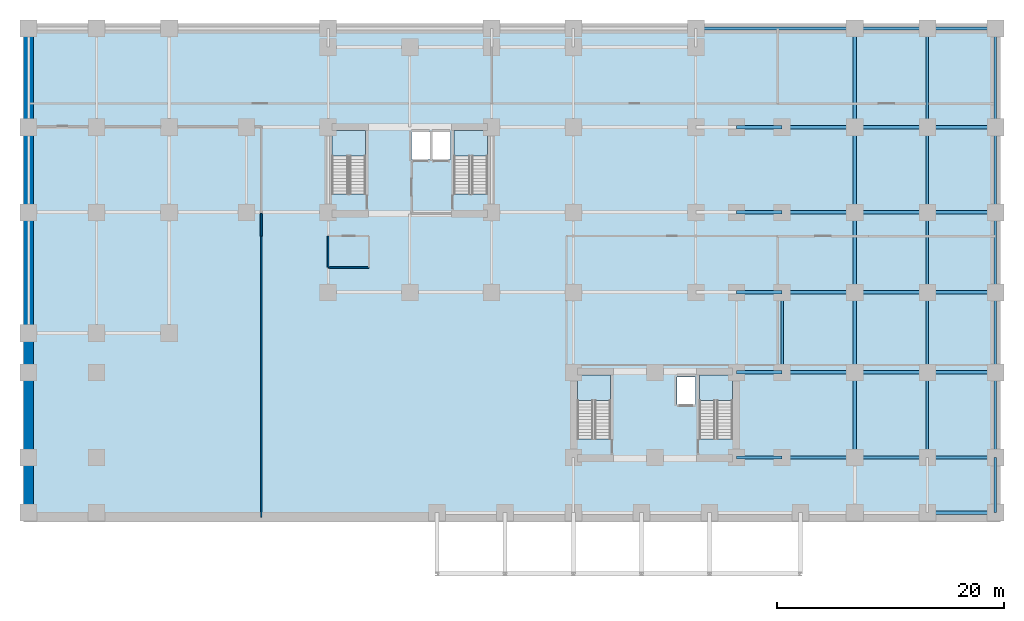
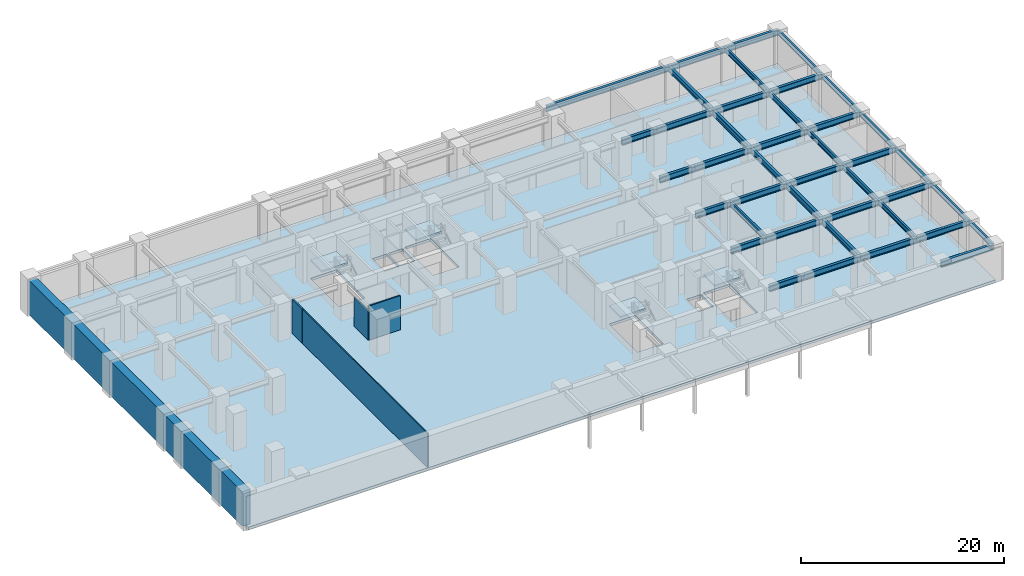
# One storey, part 6 of 11: 41 beams, 5 slabs, 5 walls, 4 elements without a shape of their own.
"""IFC4 building model written with IfcOpenShell, lengths in metres."""

from ifc_helpers import new_model, si_unit, direction, frame, frame_2d, origin, origin_2d, place, context, subcontext, project, spatial, polyline, rectangle, i_section, outline, extrude, source, transform, mapped, material, layer, layer_set, material_profile, profile_set, type_object, element, aggregate, save


model = new_model("IFC4")

# Units and contexts
model_context = context("Model", 3, precision=1e-05, world=origin(), true_north=direction((0.0, 1.0)))
body_context = subcontext(model_context, "Body", "Model", "MODEL_VIEW")
ifc_project = project(units=[si_unit("LENGTHUNIT", "METRE"), si_unit("AREAUNIT", "SQUARE_METRE"), si_unit("VOLUMEUNIT", "CUBIC_METRE"), si_unit("PLANEANGLEUNIT", "RADIAN"), si_unit("MASSUNIT", "GRAM", prefix="KILO")], contexts=[model_context])

# Site, building, storey
site_placement = place(None, origin())
site = spatial("IfcSite", under=ifc_project, at=site_placement, CompositionType="ELEMENT")
building_placement = place(site_placement, origin())
building = spatial("IfcBuilding", under=site, at=building_placement, Name="Kaliganga Portal Commons", CompositionType="ELEMENT")
storey_placement = place(building_placement, frame((0.0, 0.0, -4.5)))
storey = spatial("IfcBuildingStorey", under=building, at=storey_placement, Name="B1", CompositionType="ELEMENT", Elevation=-4.5)

# Beams
ifc_material_1 = material(Name="Structural steel S355J2", Category="steel")
ifc_material_profile_1 = material_profile(ifc_material_1, i_section(OverallWidth=0.219970703125, OverallDepth=0.60009765625, WebThickness=0.011962890625, FlangeThickness=0.01904296875, FilletRadius=0.02392578125, at=origin_2d()), Name="IPE 600")
ifc_profile_set_1 = profile_set([ifc_material_profile_1], Name="Structural steel S355J2 wide-flange")
beam_type_1 = type_object("IfcBeamType", Name="BM-FLR-600", PredefinedType="BEAM", material=ifc_profile_set_1)
shared_shape_1 = source(origin(), body_context, "Body", "SweptSolid", [
    extrude(i_section(OverallWidth=0.219970703125, OverallDepth=0.60009765625, WebThickness=0.011962890625, FlangeThickness=0.01904296875, FilletRadius=0.02392578125, at=origin_2d()), origin(), (0.0, 0.0, 1.0), 7.5),
])
for number, where, z_axis, x_axis, name in (
    (1, (67.199951171875, 7.050048828125, 3.85009765625), (0.0, 1.0, 0.0), (-1.0, 0.0, 0.0), "BM PODE B1 X67 2"),
    (2, (67.199951171875, 28.64990234375, 3.85009765625), (0.0, 1.0, 0.0), (-1.0, 0.0, 0.0), "BM PODE B1 X67 5"),
    (3, (73.199951171875, 7.050048828125, 3.85009765625), (0.0, 1.0, 0.0), (-1.0, 0.0, 0.0), "BM PODE B1 X73 2"),
    (4, (73.199951171875, 28.64990234375, 3.85009765625), (0.0, 1.0, 0.0), (-1.0, 0.0, 0.0), "BM PODE B1 X73 5"),
):
    element("IfcBeam", number, at=place(storey_placement, frame(where, z_axis=z_axis, x_axis=x_axis)), inside=storey, type_object=beam_type_1, Name=name, PredefinedType="BEAM", context=body_context, shape_type="MappedRepresentation", body=[
        mapped(shared_shape_1, transform((0.0, 0.0, 0.0), x_axis=(1.0, 0.0, 0.0), y_axis=(0.0, 1.0, 0.0), z_axis=(0.0, 0.0, 1.0), scale=1.0)),
    ])
shared_shape_2 = source(origin(), body_context, "Body", "SweptSolid", [
    extrude(i_section(OverallWidth=0.219970703125, OverallDepth=0.60009765625, WebThickness=0.011962890625, FlangeThickness=0.01904296875, FilletRadius=0.02392578125, at=origin_2d()), origin(), (0.0, 0.0, 1.0), 7.050048828125),
])
for number, where, z_axis, x_axis, name in (
    (5, (54.39990234375, 14.550048828125, 3.85009765625), (0.0, 1.0, 0.0), (-1.0, 0.0, 0.0), "BM G B1 BNK544"),
    (6, (67.199951171875, 14.550048828125, 3.85009765625), (0.0, 1.0, 0.0), (-1.0, 0.0, 0.0), "BM PODE B1 X67 3"),
    (7, (73.199951171875, 14.550048828125, 3.85009765625), (0.0, 1.0, 0.0), (-1.0, 0.0, 0.0), "BM PODE B1 X73 3"),
):
    element("IfcBeam", number, at=place(storey_placement, frame(where, z_axis=z_axis, x_axis=x_axis)), inside=storey, type_object=beam_type_1, Name=name, PredefinedType="BEAM", context=body_context, shape_type="MappedRepresentation", body=[
        mapped(shared_shape_2, transform((0.0, 0.0, 0.0), x_axis=(1.0, 0.0, 0.0), y_axis=(0.0, 1.0, 0.0), z_axis=(0.0, 0.0, 1.0), scale=1.0)),
    ])
shared_shape_3 = source(origin(), body_context, "Body", "SweptSolid", [
    extrude(i_section(OverallWidth=0.219970703125, OverallDepth=0.60009765625, WebThickness=0.011962890625, FlangeThickness=0.01904296875, FilletRadius=0.02392578125, at=origin_2d()), origin(), (0.0, 0.0, 1.0), 7.0498046875),
])
for number, where, z_axis, x_axis, name in (
    (8, (67.199951171875, 21.60009765625, 3.85009765625), (0.0, 1.0, 0.0), (-1.0, 0.0, 0.0), "BM PODE B1 X67 4"),
    (9, (73.199951171875, 21.60009765625, 3.85009765625), (0.0, 1.0, 0.0), (-1.0, 0.0, 0.0), "BM PODE B1 X73 4"),
):
    element("IfcBeam", number, at=place(storey_placement, frame(where, z_axis=z_axis, x_axis=x_axis)), inside=storey, type_object=beam_type_1, Name=name, PredefinedType="BEAM", context=body_context, shape_type="MappedRepresentation", body=[
        mapped(shared_shape_3, transform((0.0, 0.0, 0.0), x_axis=(1.0, 0.0, 0.0), y_axis=(0.0, 1.0, 0.0), z_axis=(0.0, 0.0, 1.0), scale=1.0)),
    ])
ifc_material_profile_2 = material_profile(ifc_material_1, i_section(OverallWidth=0.300048828125, OverallDepth=0.699951171875, WebThickness=0.01708984375, FlangeThickness=0.031982421875, FilletRadius=0.027099609375, at=origin_2d()), Name="HE 700 B")
ifc_profile_set_2 = profile_set([ifc_material_profile_2], Name="Structural steel S355J2 wide-flange")
beam_type_2 = type_object("IfcBeamType", Name="BM-GIRD-700", PredefinedType="USERDEFINED", material=ifc_profile_set_2)
shared_shape_4 = source(origin(), body_context, "Body", "SweptSolid", [
    extrude(i_section(OverallWidth=0.300048828125, OverallDepth=0.699951171875, WebThickness=0.01708984375, FlangeThickness=0.031982421875, FilletRadius=0.027099609375, at=origin_2d()), origin(), (0.0, 0.0, 1.0), 4.0),
])
for number, where, z_axis, x_axis, name in (
    (10, (50.39990234375, 7.050048828125, 3.800048828125), (1.0, 0.0, 0.0), (0.0, 1.0, 0.0), "BM G B1 BKE70 1"),
    (11, (50.39990234375, 14.550048828125, 3.800048828125), (1.0, 0.0, 0.0), (0.0, 1.0, 0.0), "BM G B1 BKE146 1"),
    (12, (50.39990234375, 21.60009765625, 3.800048828125), (1.0, 0.0, 0.0), (0.0, 1.0, 0.0), "BM G B1 BKE216 2"),
    (13, (50.39990234375, 28.64990234375, 3.800048828125), (1.0, 0.0, 0.0), (0.0, 1.0, 0.0), "BM G B1 BKE286 2"),
    (14, (50.39990234375, 36.14990234375, 3.800048828125), (1.0, 0.0, 0.0), (0.0, 1.0, 0.0), "BM G B1 BKE362 2"),
):
    element("IfcBeam", number, at=place(storey_placement, frame(where, z_axis=z_axis, x_axis=x_axis)), inside=storey, type_object=beam_type_2, Name=name, ObjectType="GIRDER", PredefinedType="USERDEFINED", context=body_context, shape_type="MappedRepresentation", body=[
        mapped(shared_shape_4, transform((0.0, 0.0, 0.0), x_axis=(1.0, 0.0, 0.0), y_axis=(0.0, 1.0, 0.0), z_axis=(0.0, 0.0, 1.0), scale=1.0)),
    ])
shared_shape_5 = source(origin(), body_context, "Body", "SweptSolid", [
    extrude(i_section(OverallWidth=0.300048828125, OverallDepth=0.699951171875, WebThickness=0.01708984375, FlangeThickness=0.031982421875, FilletRadius=0.027099609375, at=origin_2d()), origin(), (0.0, 0.0, 1.0), 6.400146484375),
])
for number, where, z_axis, x_axis, name in (
    (15, (54.39990234375, 7.050048828125, 3.800048828125), (1.0, 0.0, 0.0), (0.0, 1.0, 0.0), "BM G B1 BKE70 2"),
    (16, (54.39990234375, 14.550048828125, 3.800048828125), (1.0, 0.0, 0.0), (0.0, 1.0, 0.0), "BM G B1 BKE146 2"),
    (17, (54.39990234375, 21.60009765625, 3.800048828125), (1.0, 0.0, 0.0), (0.0, 1.0, 0.0), "BM G B1 BKE216 3"),
    (18, (54.39990234375, 28.64990234375, 3.800048828125), (1.0, 0.0, 0.0), (0.0, 1.0, 0.0), "BM G B1 BKE286 3"),
    (19, (54.39990234375, 36.14990234375, 3.800048828125), (1.0, 0.0, 0.0), (0.0, 1.0, 0.0), "BM G B1 BKE362 3"),
):
    element("IfcBeam", number, at=place(storey_placement, frame(where, z_axis=z_axis, x_axis=x_axis)), inside=storey, type_object=beam_type_2, Name=name, ObjectType="GIRDER", PredefinedType="USERDEFINED", context=body_context, shape_type="MappedRepresentation", body=[
        mapped(shared_shape_5, transform((0.0, 0.0, 0.0), x_axis=(1.0, 0.0, 0.0), y_axis=(0.0, 1.0, 0.0), z_axis=(0.0, 0.0, 1.0), scale=1.0)),
    ])
shared_shape_6 = source(origin(), body_context, "Body", "SweptSolid", [
    extrude(i_section(OverallWidth=0.300048828125, OverallDepth=0.699951171875, WebThickness=0.01708984375, FlangeThickness=0.031982421875, FilletRadius=0.027099609375, at=origin_2d()), origin(), (0.0, 0.0, 1.0), 7.5),
])
for number, where, z_axis, x_axis, name in (
    (20, (60.800048828125, 7.050048828125, 3.800048828125), (0.0, 1.0, 0.0), (-1.0, 0.0, 0.0), "BM PODP B1 E60 2"),
    (21, (60.800048828125, 28.64990234375, 3.800048828125), (0.0, 1.0, 0.0), (-1.0, 0.0, 0.0), "BM PODP B1 E60 5"),
):
    element("IfcBeam", number, at=place(storey_placement, frame(where, z_axis=z_axis, x_axis=x_axis)), inside=storey, type_object=beam_type_2, Name=name, ObjectType="GIRDER", PredefinedType="USERDEFINED", context=body_context, shape_type="MappedRepresentation", body=[
        mapped(shared_shape_6, transform((0.0, 0.0, 0.0), x_axis=(1.0, 0.0, 0.0), y_axis=(0.0, 1.0, 0.0), z_axis=(0.0, 0.0, 1.0), scale=1.0)),
    ])
shared_shape_7 = source(origin(), body_context, "Body", "SweptSolid", [
    extrude(i_section(OverallWidth=0.300048828125, OverallDepth=0.699951171875, WebThickness=0.01708984375, FlangeThickness=0.031982421875, FilletRadius=0.027099609375, at=origin_2d()), origin(), (0.0, 0.0, 1.0), 8.7001953125),
])
beam_1_placement = place(storey_placement, frame((60.800048828125, 36.14990234375, 3.800048828125), z_axis=(0.0, 1.0, 0.0), x_axis=(-1.0, 0.0, 0.0)))
element("IfcBeam", 22, at=beam_1_placement, inside=storey, type_object=beam_type_2, Name="BM PODP B1 E60 6", ObjectType="GIRDER", PredefinedType="USERDEFINED", context=body_context, shape_type="MappedRepresentation", body=[
    mapped(shared_shape_7, transform((0.0, 0.0, 0.0), x_axis=(1.0, 0.0, 0.0), y_axis=(0.0, 1.0, 0.0), z_axis=(0.0, 0.0, 1.0), scale=1.0)),
])
shared_shape_8 = source(origin(), body_context, "Body", "SweptSolid", [
    extrude(i_section(OverallWidth=0.300048828125, OverallDepth=0.699951171875, WebThickness=0.01708984375, FlangeThickness=0.031982421875, FilletRadius=0.027099609375, at=origin_2d()), origin(), (0.0, 0.0, 1.0), 14.0),
])
beam_2_placement = place(storey_placement, frame((46.800048828125, 44.85009765625, 3.800048828125), z_axis=(1.0, 0.0, 0.0), x_axis=(0.0, 1.0, 0.0)))
element("IfcBeam", 23, at=beam_2_placement, inside=storey, type_object=beam_type_2, Name="BM PODP B1 N44 5", ObjectType="GIRDER", PredefinedType="USERDEFINED", context=body_context, shape_type="MappedRepresentation", body=[
    mapped(shared_shape_8, transform((0.0, 0.0, 0.0), x_axis=(1.0, 0.0, 0.0), y_axis=(0.0, 1.0, 0.0), z_axis=(0.0, 0.0, 1.0), scale=1.0)),
])
shared_shape_9 = source(origin(), body_context, "Body", "SweptSolid", [
    extrude(i_section(OverallWidth=0.300048828125, OverallDepth=0.699951171875, WebThickness=0.01708984375, FlangeThickness=0.031982421875, FilletRadius=0.027099609375, at=origin_2d()), origin(), (0.0, 0.0, 1.0), 7.050048828125),
])
beam_3_placement = place(storey_placement, frame((60.800048828125, 14.550048828125, 3.800048828125), z_axis=(0.0, 1.0, 0.0), x_axis=(-1.0, 0.0, 0.0)))
element("IfcBeam", 24, at=beam_3_placement, inside=storey, type_object=beam_type_2, Name="BM PODP B1 E60 3", ObjectType="GIRDER", PredefinedType="USERDEFINED", context=body_context, shape_type="MappedRepresentation", body=[
    mapped(shared_shape_9, transform((0.0, 0.0, 0.0), x_axis=(1.0, 0.0, 0.0), y_axis=(0.0, 1.0, 0.0), z_axis=(0.0, 0.0, 1.0), scale=1.0)),
])
shared_shape_10 = source(origin(), body_context, "Body", "SweptSolid", [
    extrude(i_section(OverallWidth=0.300048828125, OverallDepth=0.699951171875, WebThickness=0.01708984375, FlangeThickness=0.031982421875, FilletRadius=0.027099609375, at=origin_2d()), origin(), (0.0, 0.0, 1.0), 7.0498046875),
])
beam_4_placement = place(storey_placement, frame((60.800048828125, 21.60009765625, 3.800048828125), z_axis=(0.0, 1.0, 0.0), x_axis=(-1.0, 0.0, 0.0)))
element("IfcBeam", 25, at=beam_4_placement, inside=storey, type_object=beam_type_2, Name="BM PODP B1 E60 4", ObjectType="GIRDER", PredefinedType="USERDEFINED", context=body_context, shape_type="MappedRepresentation", body=[
    mapped(shared_shape_10, transform((0.0, 0.0, 0.0), x_axis=(1.0, 0.0, 0.0), y_axis=(0.0, 1.0, 0.0), z_axis=(0.0, 0.0, 1.0), scale=1.0)),
])
shared_shape_11 = source(origin(), body_context, "Body", "SweptSolid", [
    extrude(i_section(OverallWidth=0.300048828125, OverallDepth=0.699951171875, WebThickness=0.01708984375, FlangeThickness=0.031982421875, FilletRadius=0.027099609375, at=origin_2d()), origin(), (0.0, 0.0, 1.0), 6.0),
])
for number, where, z_axis, x_axis, name in (
    (26, (67.199951171875, 2.199951171875, 3.800048828125), (1.0, 0.0, 0.0), (0.0, 1.0, 0.0), "BM PODE B1 Y2 2"),
    (27, (67.199951171875, 7.050048828125, 3.800048828125), (1.0, 0.0, 0.0), (0.0, 1.0, 0.0), "BM PODE B1 Y7 2"),
    (28, (67.199951171875, 14.550048828125, 3.800048828125), (1.0, 0.0, 0.0), (0.0, 1.0, 0.0), "BM PODE B1 Y14 2"),
    (29, (67.199951171875, 21.60009765625, 3.800048828125), (1.0, 0.0, 0.0), (0.0, 1.0, 0.0), "BM PODE B1 Y21 2"),
    (30, (67.199951171875, 28.64990234375, 3.800048828125), (1.0, 0.0, 0.0), (0.0, 1.0, 0.0), "BM PODE B1 Y28 2"),
    (31, (67.199951171875, 36.14990234375, 3.800048828125), (1.0, 0.0, 0.0), (0.0, 1.0, 0.0), "BM PODE B1 Y36 2"),
    (32, (67.199951171875, 44.85009765625, 3.800048828125), (1.0, 0.0, 0.0), (0.0, 1.0, 0.0), "BM PODE B1 Y44 2"),
):
    element("IfcBeam", number, at=place(storey_placement, frame(where, z_axis=z_axis, x_axis=x_axis)), inside=storey, type_object=beam_type_2, Name=name, ObjectType="GIRDER", PredefinedType="USERDEFINED", context=body_context, shape_type="MappedRepresentation", body=[
        mapped(shared_shape_11, transform((0.0, 0.0, 0.0), x_axis=(1.0, 0.0, 0.0), y_axis=(0.0, 1.0, 0.0), z_axis=(0.0, 0.0, 1.0), scale=1.0)),
    ])
shared_shape_12 = source(origin(), body_context, "Body", "SweptSolid", [
    extrude(i_section(OverallWidth=0.219970703125, OverallDepth=0.60009765625, WebThickness=0.011962890625, FlangeThickness=0.01904296875, FilletRadius=0.02392578125, at=origin_2d()), origin(), (0.0, 0.0, 1.0), 4.85009765625),
])
beam_5_placement = place(storey_placement, frame((73.199951171875, 2.199951171875, 3.85009765625), z_axis=(0.0, 1.0, 0.0), x_axis=(-1.0, 0.0, 0.0)))
element("IfcBeam", 33, at=beam_5_placement, inside=storey, type_object=beam_type_1, Name="BM PODE B1 X73 1", PredefinedType="BEAM", context=body_context, shape_type="MappedRepresentation", body=[
    mapped(shared_shape_12, transform((0.0, 0.0, 0.0), x_axis=(1.0, 0.0, 0.0), y_axis=(0.0, 1.0, 0.0), z_axis=(0.0, 0.0, 1.0), scale=1.0)),
])
shared_shape_13 = source(origin(), body_context, "Body", "SweptSolid", [
    extrude(i_section(OverallWidth=0.300048828125, OverallDepth=0.699951171875, WebThickness=0.01708984375, FlangeThickness=0.031982421875, FilletRadius=0.027099609375, at=origin_2d()), origin(), (0.0, 0.0, 1.0), 6.39990234375),
])
for number, where, z_axis, x_axis, name in (
    (34, (60.800048828125, 7.050048828125, 3.800048828125), (1.0, 0.0, 0.0), (0.0, 1.0, 0.0), "BM PODE B1 Y7 1"),
    (35, (60.800048828125, 14.550048828125, 3.800048828125), (1.0, 0.0, 0.0), (0.0, 1.0, 0.0), "BM PODE B1 Y14 1"),
    (36, (60.800048828125, 21.60009765625, 3.800048828125), (1.0, 0.0, 0.0), (0.0, 1.0, 0.0), "BM PODE B1 Y21 1"),
    (37, (60.800048828125, 28.64990234375, 3.800048828125), (1.0, 0.0, 0.0), (0.0, 1.0, 0.0), "BM PODE B1 Y28 1"),
    (38, (60.800048828125, 36.14990234375, 3.800048828125), (1.0, 0.0, 0.0), (0.0, 1.0, 0.0), "BM PODE B1 Y36 1"),
    (39, (60.800048828125, 44.85009765625, 3.800048828125), (1.0, 0.0, 0.0), (0.0, 1.0, 0.0), "BM PODE B1 Y44 1"),
):
    element("IfcBeam", number, at=place(storey_placement, frame(where, z_axis=z_axis, x_axis=x_axis)), inside=storey, type_object=beam_type_2, Name=name, ObjectType="GIRDER", PredefinedType="USERDEFINED", context=body_context, shape_type="MappedRepresentation", body=[
        mapped(shared_shape_13, transform((0.0, 0.0, 0.0), x_axis=(1.0, 0.0, 0.0), y_axis=(0.0, 1.0, 0.0), z_axis=(0.0, 0.0, 1.0), scale=1.0)),
    ])
shared_shape_14 = source(origin(), body_context, "Body", "SweptSolid", [
    extrude(i_section(OverallWidth=0.219970703125, OverallDepth=0.60009765625, WebThickness=0.011962890625, FlangeThickness=0.01904296875, FilletRadius=0.02392578125, at=origin_2d()), origin(), (0.0, 0.0, 1.0), 8.7001953125),
])
for number, where, z_axis, x_axis, name in (
    (40, (67.199951171875, 36.14990234375, 3.85009765625), (0.0, 1.0, 0.0), (-1.0, 0.0, 0.0), "BM PODE B1 X67 6"),
    (41, (73.199951171875, 36.14990234375, 3.85009765625), (0.0, 1.0, 0.0), (-1.0, 0.0, 0.0), "BM PODE B1 X73 6"),
):
    element("IfcBeam", number, at=place(storey_placement, frame(where, z_axis=z_axis, x_axis=x_axis)), inside=storey, type_object=beam_type_1, Name=name, PredefinedType="BEAM", context=body_context, shape_type="MappedRepresentation", body=[
        mapped(shared_shape_14, transform((0.0, 0.0, 0.0), x_axis=(1.0, 0.0, 0.0), y_axis=(0.0, 1.0, 0.0), z_axis=(0.0, 0.0, 1.0), scale=1.0)),
    ])

# Slab
ifc_material_2 = material(Name="Concrete C50/60", Category="concrete")
ifc_layer_1 = layer(ifc_material_2, 0.320068359375)
ifc_layer_set_1 = layer_set([ifc_layer_1], Name="Concrete C50/60")
slab_type_1 = type_object("IfcSlabType", Name="SLB-B1-320", PredefinedType="FLOOR", material=ifc_layer_set_1)
slab_1_placement = place(storey_placement, frame((0.0, 0.0, -0.320068359375)))
element("IfcSlab", 42, at=slab_1_placement, inside=storey, type_object=slab_type_1, Name="Structural Floor Slab B1", PredefinedType="FLOOR", context=body_context, shape_type="SweptSolid", body=[
    extrude(outline(polyline([(-12.0, 1.800048828125), (73.199951171875, 1.800048828125), (73.199951171875, 44.85009765625), (-12.0, 44.85009765625), (-12.0, 1.800048828125)]), holes=[polyline([(14.75, 30.25390625), (14.75, 35.85009765625), (17.699951171875, 35.85009765625), (17.699951171875, 30.25390625), (14.75, 30.25390625)]), polyline([(25.5, 30.25390625), (25.5, 35.85009765625), (28.449951171875, 35.85009765625), (28.449951171875, 30.25390625), (25.5, 30.25390625)]), polyline([(36.35009765625, 8.7041015625), (36.35009765625, 14.300048828125), (39.300048828125, 14.300048828125), (39.300048828125, 8.7041015625), (36.35009765625, 8.7041015625)]), polyline([(47.10009765625, 8.7041015625), (47.10009765625, 14.300048828125), (50.050048828125, 14.300048828125), (50.050048828125, 8.7041015625), (47.10009765625, 8.7041015625)]), polyline([(21.739990234375, 33.2900390625), (21.739990234375, 35.7099609375), (23.360107421875, 35.7099609375), (23.360107421875, 33.2900390625), (21.739990234375, 33.2900390625)]), polyline([(23.5400390625, 33.2900390625), (23.5400390625, 35.7099609375), (25.159912109375, 35.7099609375), (25.159912109375, 33.2900390625), (23.5400390625, 33.2900390625)]), polyline([(45.139892578125, 11.739990234375), (45.139892578125, 14.159912109375), (46.760009765625, 14.159912109375), (46.760009765625, 11.739990234375), (45.139892578125, 11.739990234375)])]), origin(), (0.0, 0.0, 1.0), 0.320068359375),
])

# Stair, slab
ifc_material_3 = material(Name="Concrete C40/50", Category="concrete")
stair_type = type_object("IfcStairType", Name="ST-CORE-DOGLEG", PredefinedType="HALF_TURN_STAIR", material=ifc_material_3)
stair_1_placement = place(storey_placement, origin())
stair_1 = element("IfcStair", 43, at=stair_1_placement, inside=storey, type_object=stair_type, Name="B1 Protected Exit Stair ST-A1", PredefinedType="HALF_TURN_STAIR")
ifc_layer_2 = layer(ifc_material_3, 0.199951171875)
ifc_layer_set_2 = layer_set([ifc_layer_2], Name="Concrete C40/50")
slab_type_2 = type_object("IfcSlabType", Name="SLB-STAIR-LND", PredefinedType="LANDING", material=ifc_layer_set_2)
slab_2_placement = place(storey_placement, frame((0.0, 0.0, 2.050048828125)))
slab_2 = element("IfcSlab", 44, at=slab_2_placement, type_object=slab_type_2, Name="ST-A1 landing 1", PredefinedType="LANDING", context=body_context, shape_type="SweptSolid", body=[
    extrude(outline(polyline([(17.699951171875, 33.610107421875), (17.699951171875, 35.85009765625), (14.75, 35.85009765625), (14.75, 33.610107421875), (17.699951171875, 33.610107421875)])), origin(), (0.0, 0.0, 1.0), 0.199951171875),
])
aggregate(stair_1, [slab_2])

stair_2_placement = place(storey_placement, origin())
stair_2 = element("IfcStair", 45, at=stair_2_placement, inside=storey, type_object=stair_type, Name="B1 Protected Exit Stair ST-A2", PredefinedType="HALF_TURN_STAIR")
slab_3_placement = place(storey_placement, frame((0.0, 0.0, 2.050048828125)))
slab_3 = element("IfcSlab", 46, at=slab_3_placement, type_object=slab_type_2, Name="ST-A2 landing 1", PredefinedType="LANDING", context=body_context, shape_type="SweptSolid", body=[
    extrude(outline(polyline([(28.449951171875, 33.610107421875), (28.449951171875, 35.85009765625), (25.5, 35.85009765625), (25.5, 33.610107421875), (28.449951171875, 33.610107421875)])), origin(), (0.0, 0.0, 1.0), 0.199951171875),
])
aggregate(stair_2, [slab_3])

stair_3_placement = place(storey_placement, origin())
stair_3 = element("IfcStair", 47, at=stair_3_placement, inside=storey, type_object=stair_type, Name="B1 Protected Exit Stair ST-B1", PredefinedType="HALF_TURN_STAIR")
slab_4_placement = place(storey_placement, frame((0.0, 0.0, 2.050048828125)))
slab_4 = element("IfcSlab", 48, at=slab_4_placement, type_object=slab_type_2, Name="ST-B1 landing 1", PredefinedType="LANDING", context=body_context, shape_type="SweptSolid", body=[
    extrude(outline(polyline([(39.300048828125, 12.06005859375), (39.300048828125, 14.300048828125), (36.35009765625, 14.300048828125), (36.35009765625, 12.06005859375), (39.300048828125, 12.06005859375)])), origin(), (0.0, 0.0, 1.0), 0.199951171875),
])
aggregate(stair_3, [slab_4])

stair_4_placement = place(storey_placement, origin())
stair_4 = element("IfcStair", 49, at=stair_4_placement, inside=storey, type_object=stair_type, Name="B1 Protected Exit Stair ST-B2", PredefinedType="HALF_TURN_STAIR")
slab_5_placement = place(storey_placement, frame((0.0, 0.0, 2.050048828125)))
slab_5 = element("IfcSlab", 50, at=slab_5_placement, type_object=slab_type_2, Name="ST-B2 landing 1", PredefinedType="LANDING", context=body_context, shape_type="SweptSolid", body=[
    extrude(outline(polyline([(50.050048828125, 12.06005859375), (50.050048828125, 14.300048828125), (47.10009765625, 14.300048828125), (47.10009765625, 12.06005859375), (50.050048828125, 12.06005859375)])), origin(), (0.0, 0.0, 1.0), 0.199951171875),
])
aggregate(stair_4, [slab_5])

# Walls
ifc_material_4 = material(Name="Fire-Rated Gypsum Board on Steel Stud", Category="steel")
ifc_layer_3 = layer(ifc_material_4, 0.14990234375)
ifc_layer_set_3 = layer_set([ifc_layer_3], Name="Fire-Rated Gypsum Board on Steel Stud")
wall_type_1 = type_object("IfcWallType", Name="WL-PART-CORR-150", PredefinedType="PARTITIONING", material=ifc_layer_set_3)
wall_1_placement = place(storey_placement, frame((8.5, 26.56005859375, 0.0), z_axis=(0.0, 0.0, 1.0), x_axis=(0.0, 1.0, 0.0)))
element("IfcWall", 51, at=wall_1_placement, inside=storey, type_object=wall_type_1, Name="Interior Partition B1-014", PredefinedType="PARTITIONING", context=body_context, shape_type="SweptSolid", body=[
    extrude(rectangle(XDim=2.0, YDim=0.14990234375, at=frame_2d((1.0, 0.0))), origin(), (0.0, 0.0, 1.0), 4.1298828125),
])
ifc_material_5 = material(Name="Moisture-Resistant Gypsum Partition", Category="gypsum")
ifc_layer_4 = layer(ifc_material_5, 0.114990234375)
ifc_layer_set_4 = layer_set([ifc_layer_4], Name="Moisture-Resistant Gypsum Partition")
wall_type_2 = type_object("IfcWallType", Name="WL-PART-ROOM-115", PredefinedType="PARTITIONING", material=ifc_layer_set_4)
wall_2_placement = place(storey_placement, frame((8.5, 1.800048828125, 0.0), z_axis=(0.0, 0.0, 1.0), x_axis=(0.0, 1.0, 0.0)))
element("IfcWall", 52, at=wall_2_placement, inside=storey, type_object=wall_type_2, Name="Interior Partition B1-015", PredefinedType="PARTITIONING", context=body_context, shape_type="SweptSolid", body=[
    extrude(rectangle(XDim=24.760009765625, YDim=0.114990234375, at=frame_2d((12.3798828125, 0.0))), origin(), (0.0, 0.0, 1.0), 4.1298828125),
])
ifc_material_6 = material(Name="Cement-Board Wet-Room Partition", Category="gypsum")
ifc_layer_5 = layer(ifc_material_6, 0.135009765625)
ifc_layer_set_5 = layer_set([ifc_layer_5], Name="Cement-Board Wet-Room Partition")
wall_type_3 = type_object("IfcWallType", Name="WL-PART-WET-135", PredefinedType="PARTITIONING", material=ifc_layer_set_5)
wall_3_placement = place(storey_placement, frame((14.39990234375, 23.800048828125, 0.0), z_axis=(0.0, 0.0, 1.0), x_axis=(1.0, 0.0, 0.0)))
element("IfcWall", 53, at=wall_3_placement, inside=storey, type_object=wall_type_3, Name="Interior Partition B1-027", PredefinedType="PARTITIONING", context=body_context, shape_type="SweptSolid", body=[
    extrude(rectangle(XDim=3.60009765625, YDim=0.135009765625, at=frame_2d((1.800048828125, 0.0))), origin(), (0.0, 0.0, 1.0), 4.1298828125),
])
wall_4_placement = place(storey_placement, frame((14.39990234375, 23.800048828125, 0.0), z_axis=(0.0, 0.0, 1.0), x_axis=(0.0, 1.0, 0.0)))
element("IfcWall", 54, at=wall_4_placement, inside=storey, type_object=wall_type_3, Name="Interior Partition B1-029", PredefinedType="PARTITIONING", context=body_context, shape_type="SweptSolid", body=[
    extrude(rectangle(XDim=2.760009765625, YDim=0.135009765625, at=frame_2d((1.3798828125, 0.0))), origin(), (0.0, 0.0, 1.0), 3.530029296875),
])
ifc_material_7 = material(Name="Concrete C60/75", Category="concrete")
ifc_layer_6 = layer(ifc_material_7, 0.89990234375)
ifc_layer_set_6 = layer_set([ifc_layer_6], Name="Concrete C60/75")
wall_type_4 = type_object("IfcWallType", Name="WL-RET-900", PredefinedType="USERDEFINED", material=ifc_layer_set_6)
wall_5_placement = place(storey_placement, frame((-12.0, 2.25, 0.0), z_axis=(0.0, 0.0, 1.0), x_axis=(0.0, 1.0, 0.0)))
element("IfcWall", 55, at=wall_5_placement, inside=storey, type_object=wall_type_4, Name="Basement Diaphragm Retaining Wall B1-W", ObjectType="RETAINING WALL", PredefinedType="USERDEFINED", context=body_context, shape_type="SweptSolid", body=[
    extrude(rectangle(XDim=42.14990234375, YDim=0.89990234375, at=frame_2d((21.074951171875, 0.0))), origin(), (0.0, 0.0, 1.0), 4.14990234375),
])

save(model, "model.ifc")
